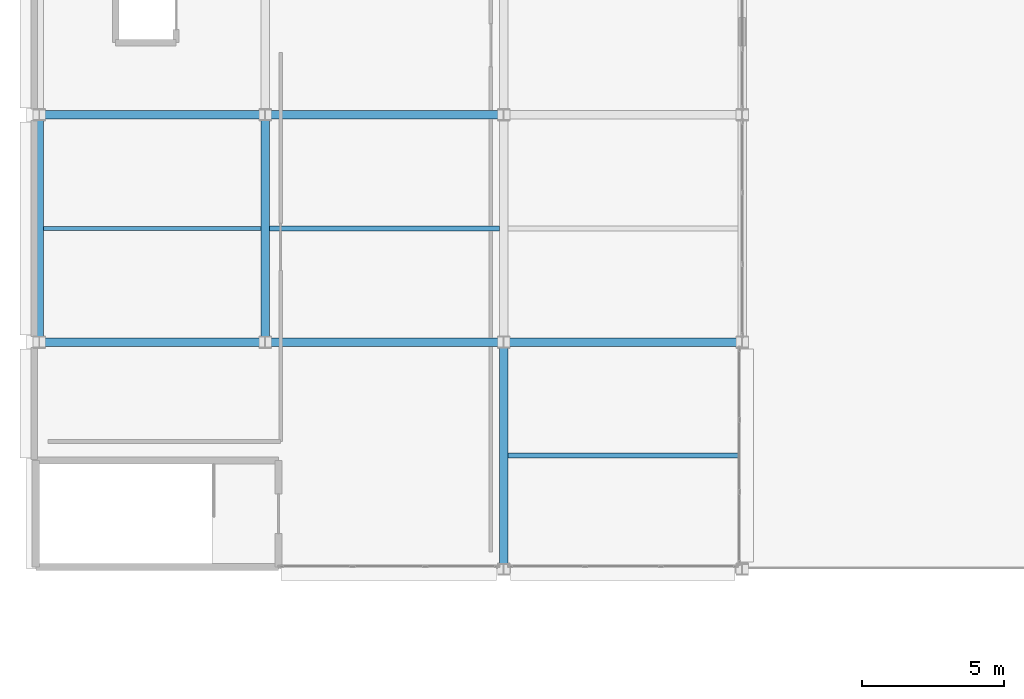
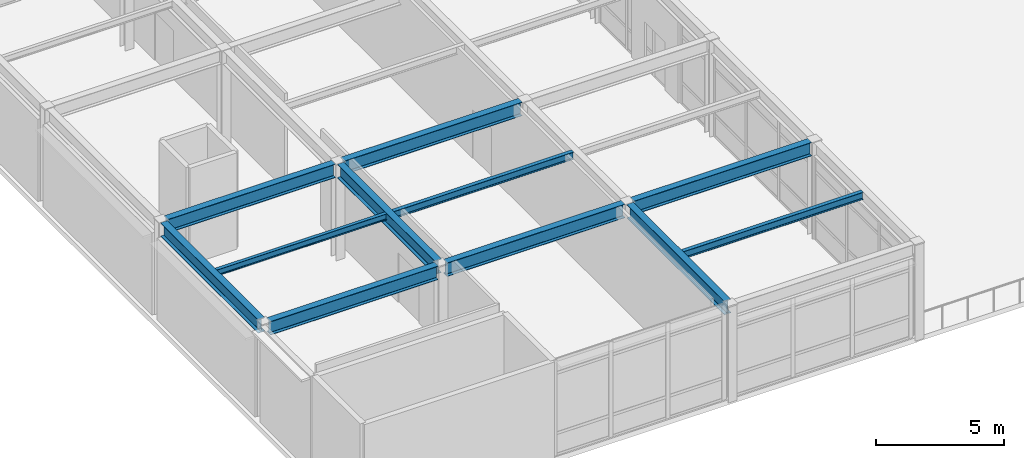
# One storey, part 6 of 61: 11 beams.
"""IFC4 building model written with IfcOpenShell, lengths in metres."""

from ifc_helpers import new_model, si_unit, direction, frame, origin, origin_2d, place, context, subcontext, project, spatial, i_section, extrude, material, material_profile, profile_set, type_object, element, save


model = new_model("IFC4")

# Units and contexts
model_context = context("Model", 3, precision=1e-05, world=origin(), true_north=direction((0.0, 1.0)))
body_context = subcontext(model_context, "Body", "Model", "MODEL_VIEW")
ifc_project = project(units=[si_unit("LENGTHUNIT", "METRE"), si_unit("AREAUNIT", "SQUARE_METRE"), si_unit("VOLUMEUNIT", "CUBIC_METRE"), si_unit("PLANEANGLEUNIT", "RADIAN"), si_unit("MASSUNIT", "GRAM", prefix="KILO")], contexts=[model_context])

# Site, building, storey
site_placement = place(None, origin())
site = spatial("IfcSite", under=ifc_project, at=site_placement, CompositionType="ELEMENT")
building_placement = place(site_placement, origin())
building = spatial("IfcBuilding", under=site, at=building_placement, Name="Kazehara Bluff Congress Hotel", CompositionType="ELEMENT")
storey_placement = place(building_placement, frame((0.0, 0.0, 19.800048828125)))
storey = spatial("IfcBuildingStorey", under=building, at=storey_placement, Name="L04", CompositionType="ELEMENT", Elevation=19.800048828125)

# Beams
ifc_material_1 = material(Name="Steel SN490B", Category="steel")
ifc_material_profile_1 = material_profile(ifc_material_1, i_section(OverallWidth=0.300048828125, OverallDepth=0.64990234375, WebThickness=0.011962890625, FlangeThickness=0.02001953125, FilletRadius=0.012939453125, at=origin_2d()))
ifc_profile_set_1 = profile_set([ifc_material_profile_1], Name="Steel SN490B")
beam_type_1 = type_object("IfcBeamType", Name="TP-G-03", PredefinedType="BEAM", material=ifc_profile_set_1)
for number, where, z_axis, x_axis, name in (
    (1, (59.699951171875, 24.199951171875, 4.2548828125), (0.0, 1.0, 0.0), (-1.0, 0.0, 0.0), "L04 girder G-03 1"),
    (2, (67.64990234375, 24.199951171875, 4.2548828125), (0.0, 1.0, 0.0), (-1.0, 0.0, 0.0), "L04 girder G-03 5"),
    (3, (76.050048828125, 16.199951171875, 4.2548828125), (0.0, 1.0, 0.0), (-1.0, 0.0, 0.0), "L04 girder G-03 9"),
):
    element("IfcBeam", number, at=place(storey_placement, frame(where, z_axis=z_axis, x_axis=x_axis)), inside=storey, type_object=beam_type_1, Name=name, PredefinedType="BEAM", context=body_context, shape_type="SweptSolid", body=[
        extrude(i_section(OverallWidth=0.300048828125, OverallDepth=0.64990234375, WebThickness=0.011962890625, FlangeThickness=0.02001953125, FilletRadius=0.012939453125, at=origin_2d()), origin(), (0.0, 0.0, 1.0), 7.60009765625),
    ])
beam_1_placement = place(storey_placement, frame((59.89990234375, 24.0, 4.2548828125), z_axis=(1.0, 0.0, 0.0), x_axis=(0.0, 1.0, 0.0)))
element("IfcBeam", 4, at=beam_1_placement, inside=storey, type_object=beam_type_1, Name="L04 girder G-03 18", PredefinedType="BEAM", context=body_context, shape_type="SweptSolid", body=[
    extrude(i_section(OverallWidth=0.300048828125, OverallDepth=0.64990234375, WebThickness=0.011962890625, FlangeThickness=0.02001953125, FilletRadius=0.012939453125, at=origin_2d()), origin(), (0.0, 0.0, 1.0), 7.550048828125),
])
for number, where, z_axis, x_axis, name in (
    (5, (67.85009765625, 24.0, 4.2548828125), (1.0, 0.0, 0.0), (0.0, 1.0, 0.0), "L04 girder G-03 19"),
    (6, (76.25, 24.0, 4.2548828125), (1.0, 0.0, 0.0), (0.0, 1.0, 0.0), "L04 girder G-03 20"),
):
    element("IfcBeam", number, at=place(storey_placement, frame(where, z_axis=z_axis, x_axis=x_axis)), inside=storey, type_object=beam_type_1, Name=name, PredefinedType="BEAM", context=body_context, shape_type="SweptSolid", body=[
        extrude(i_section(OverallWidth=0.300048828125, OverallDepth=0.64990234375, WebThickness=0.011962890625, FlangeThickness=0.02001953125, FilletRadius=0.012939453125, at=origin_2d()), origin(), (0.0, 0.0, 1.0), 8.0),
    ])
beam_2_placement = place(storey_placement, frame((59.89990234375, 32.0, 4.2548828125), z_axis=(1.0, 0.0, 0.0), x_axis=(0.0, 1.0, 0.0)))
element("IfcBeam", 7, at=beam_2_placement, inside=storey, type_object=beam_type_1, Name="L04 girder G-03 21", PredefinedType="BEAM", context=body_context, shape_type="SweptSolid", body=[
    extrude(i_section(OverallWidth=0.300048828125, OverallDepth=0.64990234375, WebThickness=0.011962890625, FlangeThickness=0.02001953125, FilletRadius=0.012939453125, at=origin_2d()), origin(), (0.0, 0.0, 1.0), 7.550048828125),
])
beam_3_placement = place(storey_placement, frame((67.85009765625, 32.0, 4.2548828125), z_axis=(1.0, 0.0, 0.0), x_axis=(0.0, 1.0, 0.0)))
element("IfcBeam", 8, at=beam_3_placement, inside=storey, type_object=beam_type_1, Name="L04 girder G-03 22", PredefinedType="BEAM", context=body_context, shape_type="SweptSolid", body=[
    extrude(i_section(OverallWidth=0.300048828125, OverallDepth=0.64990234375, WebThickness=0.011962890625, FlangeThickness=0.02001953125, FilletRadius=0.012939453125, at=origin_2d()), origin(), (0.0, 0.0, 1.0), 8.0),
])
ifc_material_2 = material(Name="Steel SN400B", Category="steel")
ifc_material_profile_2 = material_profile(ifc_material_2, i_section(OverallWidth=0.14990234375, OverallDepth=0.300048828125, WebThickness=0.006591796875, FlangeThickness=0.009033203125, FilletRadius=0.012939453125, at=origin_2d()))
ifc_profile_set_2 = profile_set([ifc_material_profile_2], Name="Steel SN400B")
beam_type_2 = type_object("IfcBeamType", Name="TP-J-01", PredefinedType="JOIST", material=ifc_profile_set_2)
beam_4_placement = place(storey_placement, frame((59.85009765625, 28.0, 4.429931640625), z_axis=(1.0, 0.0, 0.0), x_axis=(0.0, 1.0, 0.0)))
element("IfcBeam", 9, at=beam_4_placement, inside=storey, type_object=beam_type_2, Name="L04 secondary joist J-01 1", PredefinedType="JOIST", context=body_context, shape_type="SweptSolid", body=[
    extrude(i_section(OverallWidth=0.14990234375, OverallDepth=0.300048828125, WebThickness=0.006591796875, FlangeThickness=0.009033203125, FilletRadius=0.012939453125, at=origin_2d()), origin(), (0.0, 0.0, 1.0), 7.64990234375),
])
ifc_material_3 = material(Name="Steel SN400B", Category="steel")
ifc_material_profile_3 = material_profile(ifc_material_3, i_section(OverallWidth=0.175048828125, OverallDepth=0.35009765625, WebThickness=0.007080078125, FlangeThickness=0.010986328125, FilletRadius=0.012939453125, at=origin_2d()))
ifc_profile_set_3 = profile_set([ifc_material_profile_3], Name="Steel SN400B")
beam_type_3 = type_object("IfcBeamType", Name="TP-J-02", PredefinedType="JOIST", material=ifc_profile_set_3)
beam_5_placement = place(storey_placement, frame((67.800048828125, 28.0, 4.405029296875), z_axis=(1.0, 0.0, 0.0), x_axis=(0.0, 1.0, 0.0)))
element("IfcBeam", 10, at=beam_5_placement, inside=storey, type_object=beam_type_3, Name="L04 secondary joist J-02 4", PredefinedType="JOIST", context=body_context, shape_type="SweptSolid", body=[
    extrude(i_section(OverallWidth=0.175048828125, OverallDepth=0.35009765625, WebThickness=0.007080078125, FlangeThickness=0.010986328125, FilletRadius=0.012939453125, at=origin_2d()), origin(), (0.0, 0.0, 1.0), 8.099853515625),
])
beam_6_placement = place(storey_placement, frame((76.199951171875, 20.0, 4.405029296875), z_axis=(1.0, 0.0, 0.0), x_axis=(0.0, 1.0, 0.0)))
element("IfcBeam", 11, at=beam_6_placement, inside=storey, type_object=beam_type_3, Name="L04 secondary joist J-02 7", PredefinedType="JOIST", context=body_context, shape_type="SweptSolid", body=[
    extrude(i_section(OverallWidth=0.175048828125, OverallDepth=0.35009765625, WebThickness=0.007080078125, FlangeThickness=0.010986328125, FilletRadius=0.012939453125, at=origin_2d()), origin(), (0.0, 0.0, 1.0), 8.10009765625),
])

save(model, "model.ifc")
